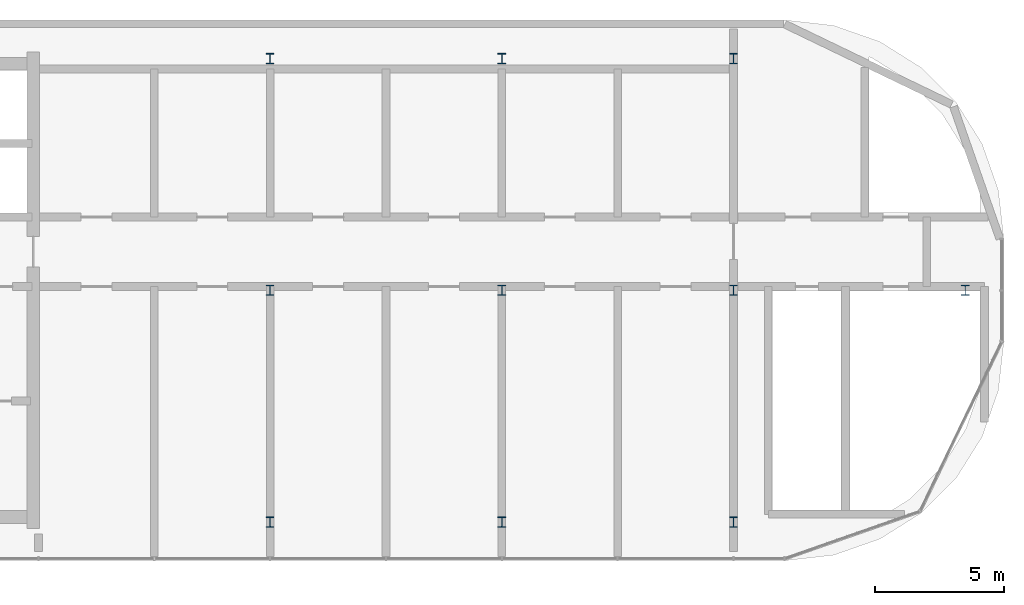
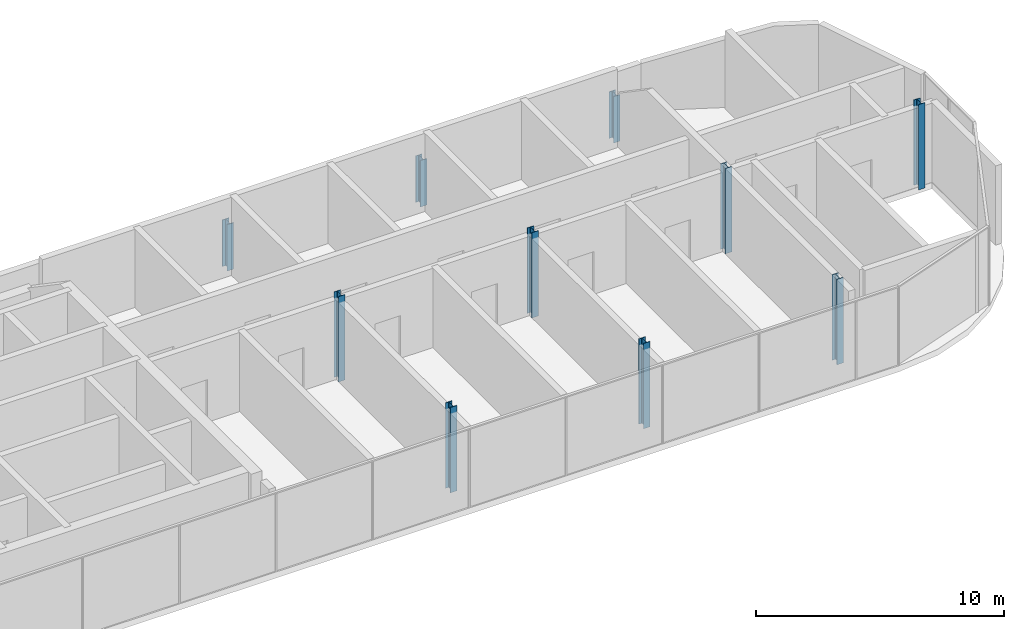
# One storey, part 1 of 9: 10 columns.
"""IFC4 building model written with IfcOpenShell, lengths in metres."""

from ifc_helpers import new_model, si_unit, direction, frame, origin, origin_2d, place, context, subcontext, project, spatial, i_section, extrude, material, material_profile, profile_set, type_object, element, save


model = new_model("IFC4")

# Units and contexts
model_context = context("Model", 3, precision=1e-05, world=origin(), true_north=direction((0.0, 1.0)))
body_context = subcontext(model_context, "Body", "Model", "MODEL_VIEW")
ifc_project = project(units=[si_unit("LENGTHUNIT", "METRE"), si_unit("AREAUNIT", "SQUARE_METRE"), si_unit("VOLUMEUNIT", "CUBIC_METRE"), si_unit("PLANEANGLEUNIT", "RADIAN"), si_unit("MASSUNIT", "GRAM", prefix="KILO")], contexts=[model_context])

# Site, building, storey
site_placement = place(None, origin())
site = spatial("IfcSite", under=ifc_project, at=site_placement, CompositionType="ELEMENT")
building_placement = place(site_placement, origin())
building = spatial("IfcBuilding", under=site, at=building_placement, Name="Ogive Portal Towers", CompositionType="ELEMENT")
storey_placement = place(building_placement, frame((0.0, 0.0, 281.300048828125)))
storey = spatial("IfcBuildingStorey", under=building, at=storey_placement, Name="L68", CompositionType="ELEMENT", Elevation=281.300048828125)

# Columns
ifc_material = material(Name="Steel S355", Category="steel")
ifc_material_profile = material_profile(ifc_material, i_section(OverallWidth=0.300048828125, OverallDepth=0.39990234375, WebThickness=0.013427734375, FlangeThickness=0.02392578125, FilletRadius=0.027099609375, at=origin_2d()), Name="HEB 400")
ifc_profile_set = profile_set([ifc_material_profile], Name="Steel S355")
column_type = type_object("IfcColumnType", Name="CROWN COLUMN HEB 400", PredefinedType="COLUMN", material=ifc_profile_set)
for number, where, z_axis, x_axis, name in (
    (1, (67.5, 21.5, 0.0), (0.0, 0.0, 1.0), (1.0, 0.0, 0.0), "Crown column L68"),
    (2, (67.5, 30.5, 0.0), (0.0, 0.0, 1.0), (1.0, 0.0, 0.0), "Crown column L68"),
):
    element("IfcColumn", number, at=place(storey_placement, frame(where, z_axis=z_axis, x_axis=x_axis)), inside=storey, type_object=column_type, Name=name, PredefinedType="COLUMN", context=body_context, shape_type="SweptSolid", body=[
        extrude(i_section(OverallWidth=0.300048828125, OverallDepth=0.39990234375, WebThickness=0.013427734375, FlangeThickness=0.02392578125, FilletRadius=0.027099609375, at=origin_2d()), origin(), (0.0, 0.0, 1.0), 4.199951171875),
    ])
column_1_placement = place(storey_placement, frame((67.5, 39.5, 0.0), z_axis=(0.0, 0.0, 1.0), x_axis=(1.0, 0.0, 0.0)))
element("IfcColumn", 3, at=column_1_placement, inside=storey, type_object=column_type, Name="Crown column L68", PredefinedType="COLUMN", context=body_context, shape_type="SweptSolid", body=[
    extrude(i_section(OverallWidth=0.300048828125, OverallDepth=0.39990234375, WebThickness=0.013427734375, FlangeThickness=0.02392578125, FilletRadius=0.027099609375, at=origin_2d()), origin(), (0.0, 0.0, 1.0), 2.2900390625),
])
for number, where, z_axis, x_axis, name in (
    (4, (76.5, 21.5, 0.0), (0.0, 0.0, 1.0), (1.0, 0.0, 0.0), "Crown column L68"),
    (5, (76.5, 30.5, 0.0), (0.0, 0.0, 1.0), (1.0, 0.0, 0.0), "Crown column L68"),
):
    element("IfcColumn", number, at=place(storey_placement, frame(where, z_axis=z_axis, x_axis=x_axis)), inside=storey, type_object=column_type, Name=name, PredefinedType="COLUMN", context=body_context, shape_type="SweptSolid", body=[
        extrude(i_section(OverallWidth=0.300048828125, OverallDepth=0.39990234375, WebThickness=0.013427734375, FlangeThickness=0.02392578125, FilletRadius=0.027099609375, at=origin_2d()), origin(), (0.0, 0.0, 1.0), 4.199951171875),
    ])
column_2_placement = place(storey_placement, frame((76.5, 39.5, 0.0), z_axis=(0.0, 0.0, 1.0), x_axis=(1.0, 0.0, 0.0)))
element("IfcColumn", 6, at=column_2_placement, inside=storey, type_object=column_type, Name="Crown column L68", PredefinedType="COLUMN", context=body_context, shape_type="SweptSolid", body=[
    extrude(i_section(OverallWidth=0.300048828125, OverallDepth=0.39990234375, WebThickness=0.013427734375, FlangeThickness=0.02392578125, FilletRadius=0.027099609375, at=origin_2d()), origin(), (0.0, 0.0, 1.0), 2.2900390625),
])
for number, where, z_axis, x_axis, name in (
    (7, (85.5, 21.5, 0.0), (0.0, 0.0, 1.0), (1.0, 0.0, 0.0), "Crown column L68"),
    (8, (85.5, 30.5, 0.0), (0.0, 0.0, 1.0), (1.0, 0.0, 0.0), "Crown column L68"),
):
    element("IfcColumn", number, at=place(storey_placement, frame(where, z_axis=z_axis, x_axis=x_axis)), inside=storey, type_object=column_type, Name=name, PredefinedType="COLUMN", context=body_context, shape_type="SweptSolid", body=[
        extrude(i_section(OverallWidth=0.300048828125, OverallDepth=0.39990234375, WebThickness=0.013427734375, FlangeThickness=0.02392578125, FilletRadius=0.027099609375, at=origin_2d()), origin(), (0.0, 0.0, 1.0), 4.199951171875),
    ])
column_3_placement = place(storey_placement, frame((85.5, 39.5, 0.0), z_axis=(0.0, 0.0, 1.0), x_axis=(1.0, 0.0, 0.0)))
element("IfcColumn", 9, at=column_3_placement, inside=storey, type_object=column_type, Name="Crown column L68", PredefinedType="COLUMN", context=body_context, shape_type="SweptSolid", body=[
    extrude(i_section(OverallWidth=0.300048828125, OverallDepth=0.39990234375, WebThickness=0.013427734375, FlangeThickness=0.02392578125, FilletRadius=0.027099609375, at=origin_2d()), origin(), (0.0, 0.0, 1.0), 2.2900390625),
])
column_4_placement = place(storey_placement, frame((94.5, 30.5, 0.0), z_axis=(0.0, 0.0, 1.0), x_axis=(1.0, 0.0, 0.0)))
element("IfcColumn", 10, at=column_4_placement, inside=storey, type_object=column_type, Name="Crown column L68", PredefinedType="COLUMN", context=body_context, shape_type="SweptSolid", body=[
    extrude(i_section(OverallWidth=0.300048828125, OverallDepth=0.39990234375, WebThickness=0.013427734375, FlangeThickness=0.02392578125, FilletRadius=0.027099609375, at=origin_2d()), origin(), (0.0, 0.0, 1.0), 4.199951171875),
])

save(model, "model.ifc")
